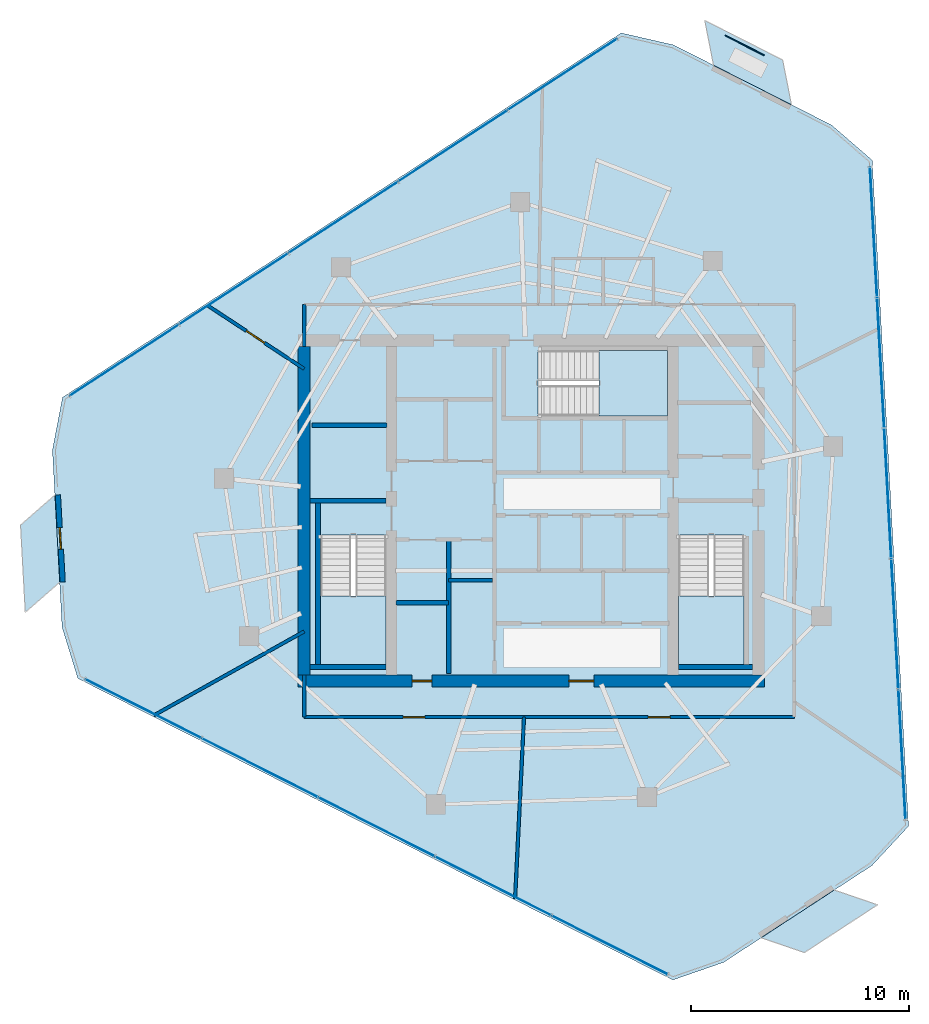
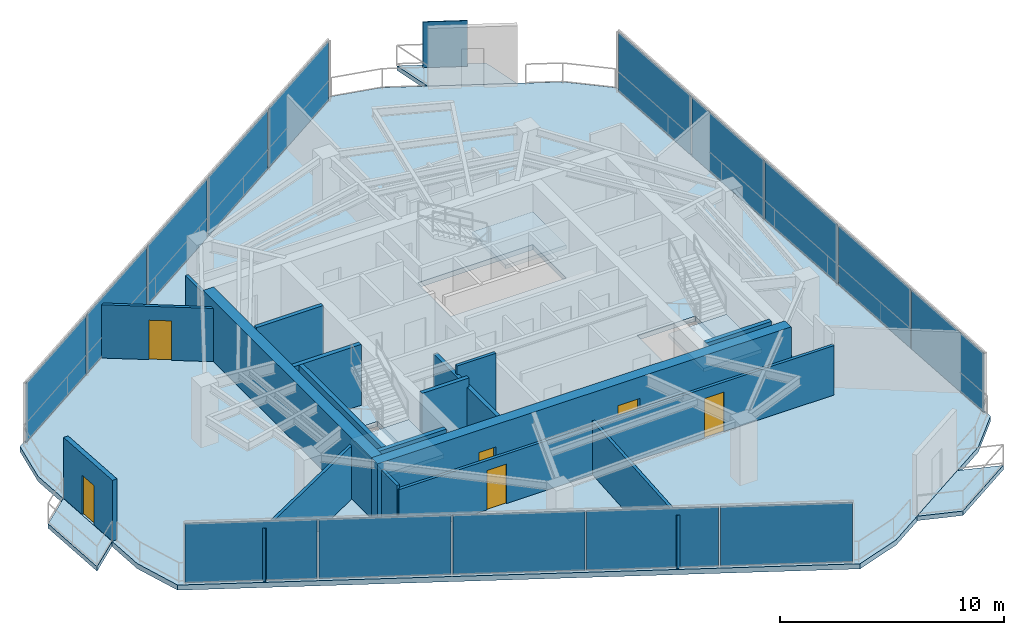
# One storey, part 14 of 18: 18 walls, 16 plates, 7 slabs, 6 doors, 6 openings, 6 elements without a shape of their own.
"""IFC4 building model written with IfcOpenShell, lengths in metres."""

from ifc_helpers import new_model, si_unit, direction, frame, frame_2d, origin, origin_2d, place, context, subcontext, project, spatial, polyline, rectangle, outline, extrude, material, layer, layer_set, type_object, element, fill, aggregate, save


model = new_model("IFC4")

# Units and contexts
model_context = context("Model", 3, precision=1e-05, world=origin(), true_north=direction((0.0, 1.0)))
body_context = subcontext(model_context, "Body", "Model", "MODEL_VIEW")
ifc_project = project(units=[si_unit("LENGTHUNIT", "METRE"), si_unit("AREAUNIT", "SQUARE_METRE"), si_unit("VOLUMEUNIT", "CUBIC_METRE"), si_unit("PLANEANGLEUNIT", "RADIAN"), si_unit("MASSUNIT", "GRAM", prefix="KILO")], contexts=[model_context])

# Site, building, storey
site_placement = place(None, origin())
site = spatial("IfcSite", under=ifc_project, at=site_placement, CompositionType="ELEMENT")
building_placement = place(site_placement, origin())
building = spatial("IfcBuilding", under=site, at=building_placement, Name="Qarnah Convention Tower", CompositionType="ELEMENT")
storey_placement = place(building_placement, frame((0.0, 0.0, 191.39990234375)))
storey = spatial("IfcBuildingStorey", under=building, at=storey_placement, Name="L51", CompositionType="ELEMENT", Elevation=191.39990234375)

# Curtain wall, plates
ifc_material_1 = material(Name="Tempered Low-E dark glass", Category="glass")
ifc_layer_1 = layer(ifc_material_1, 0.174072265625)
ifc_layer_set_1 = layer_set([ifc_layer_1], Name="Tempered Low-E dark glass")
curtain_wall_type = type_object("IfcCurtainWallType", Name="CWS-04", PredefinedType="NOTDEFINED", material=ifc_layer_set_1)
curtain_wall_1_placement = place(storey_placement, origin())
curtain_wall_1 = element("IfcCurtainWall", 1, at=curtain_wall_1_placement, inside=storey, type_object=curtain_wall_type, Name="L51 unitised curtain wall CW-L51-F1", PredefinedType="NOTDEFINED")
ifc_layer_2 = layer(ifc_material_1, 0.033935546875)
ifc_layer_set_2 = layer_set([ifc_layer_2], Name="Tempered Low-E dark glass")
plate_type_1 = type_object("IfcPlateType", Name="PNL-T4", PredefinedType="CURTAIN_PANEL", material=ifc_layer_set_2)
plate_1_placement = place(storey_placement, frame((18.56103515625, 33.292236328125, 0.0400390625), z_axis=(0.0, 0.0, 1.0), x_axis=(0.837511598943, 0.546419547267, 0.0)))
plate_1 = element("IfcPlate", 2, at=plate_1_placement, type_object=plate_type_1, Name="CW-L51-F1 curtain panel 1.1", PredefinedType="CURTAIN_PANEL", context=body_context, shape_type="SweptSolid", body=[
    extrude(rectangle(XDim=5.9091796875, YDim=0.033935546875, at=origin_2d()), origin(), (0.0, 0.0, 1.0), 3.239990234375),
])
plate_2_placement = place(storey_placement, frame((23.576904296875, 36.56494140625, 0.0400390625), z_axis=(0.0, 0.0, 1.0), x_axis=(0.837511598943, 0.546419547267, 0.0)))
plate_2 = element("IfcPlate", 3, at=plate_2_placement, type_object=plate_type_1, Name="CW-L51-F1 curtain panel 2.1", PredefinedType="CURTAIN_PANEL", context=body_context, shape_type="SweptSolid", body=[
    extrude(rectangle(XDim=5.9091796875, YDim=0.033935546875, at=origin_2d()), origin(), (0.0, 0.0, 1.0), 3.239990234375),
])
plate_3_placement = place(storey_placement, frame((28.593017578125, 39.83740234375, 0.0400390625), z_axis=(0.0, 0.0, 1.0), x_axis=(0.837511598943, 0.546419547267, 0.0)))
plate_3 = element("IfcPlate", 4, at=plate_3_placement, type_object=plate_type_1, Name="CW-L51-F1 curtain panel 3.1", PredefinedType="CURTAIN_PANEL", context=body_context, shape_type="SweptSolid", body=[
    extrude(rectangle(XDim=5.9091796875, YDim=0.033935546875, at=origin_2d()), origin(), (0.0, 0.0, 1.0), 3.239990234375),
])
plate_4_placement = place(storey_placement, frame((33.60888671875, 43.110107421875, 0.0400390625), z_axis=(0.0, 0.0, 1.0), x_axis=(0.837511598943, 0.546419547267, 0.0)))
plate_4 = element("IfcPlate", 5, at=plate_4_placement, type_object=plate_type_1, Name="CW-L51-F1 curtain panel 4.1", PredefinedType="CURTAIN_PANEL", context=body_context, shape_type="SweptSolid", body=[
    extrude(rectangle(XDim=5.9091796875, YDim=0.033935546875, at=origin_2d()), origin(), (0.0, 0.0, 1.0), 3.239990234375),
])
plate_5_placement = place(storey_placement, frame((38.625, 46.3828125, 0.0400390625), z_axis=(0.0, 0.0, 1.0), x_axis=(0.837511598943, 0.546419547267, 0.0)))
plate_5 = element("IfcPlate", 6, at=plate_5_placement, type_object=plate_type_1, Name="CW-L51-F1 curtain panel 5.1", PredefinedType="CURTAIN_PANEL", context=body_context, shape_type="SweptSolid", body=[
    extrude(rectangle(XDim=5.9091796875, YDim=0.033935546875, at=origin_2d()), origin(), (0.0, 0.0, 1.0), 3.239990234375),
])
aggregate(curtain_wall_1, [plate_1, plate_2, plate_3, plate_4, plate_5])

curtain_wall_2_placement = place(storey_placement, origin())
curtain_wall_2 = element("IfcCurtainWall", 7, at=curtain_wall_2_placement, inside=storey, type_object=curtain_wall_type, Name="L51 unitised curtain wall CW-L51-F2", PredefinedType="NOTDEFINED")
plate_6_placement = place(storey_placement, frame((52.87890625, 39.156982421875, 0.0400390625), z_axis=(0.0, 0.0, 1.0), x_axis=(0.054432401259, -0.998517457881, 0.0)))
plate_6 = element("IfcPlate", 8, at=plate_6_placement, type_object=plate_type_1, Name="CW-L51-F2 curtain panel 1.1", PredefinedType="CURTAIN_PANEL", context=body_context, shape_type="SweptSolid", body=[
    extrude(rectangle(XDim=5.9091796875, YDim=0.033935546875, at=origin_2d()), origin(), (0.0, 0.0, 1.0), 3.239990234375),
])
plate_7_placement = place(storey_placement, frame((53.205078125, 33.1767578125, 0.0400390625), z_axis=(0.0, 0.0, 1.0), x_axis=(0.054432401259, -0.998517457881, 0.0)))
plate_7 = element("IfcPlate", 9, at=plate_7_placement, type_object=plate_type_1, Name="CW-L51-F2 curtain panel 2.1", PredefinedType="CURTAIN_PANEL", context=body_context, shape_type="SweptSolid", body=[
    extrude(rectangle(XDim=5.9091796875, YDim=0.033935546875, at=origin_2d()), origin(), (0.0, 0.0, 1.0), 3.239990234375),
])
plate_8_placement = place(storey_placement, frame((53.531005859375, 27.196533203125, 0.0400390625), z_axis=(0.0, 0.0, 1.0), x_axis=(0.054432401259, -0.998517457881, 0.0)))
plate_8 = element("IfcPlate", 10, at=plate_8_placement, type_object=plate_type_1, Name="CW-L51-F2 curtain panel 3.1", PredefinedType="CURTAIN_PANEL", context=body_context, shape_type="SweptSolid", body=[
    extrude(rectangle(XDim=5.9091796875, YDim=0.033935546875, at=origin_2d()), origin(), (0.0, 0.0, 1.0), 3.239990234375),
])
plate_9_placement = place(storey_placement, frame((53.85693359375, 21.21630859375, 0.0400390625), z_axis=(0.0, 0.0, 1.0), x_axis=(0.054432401259, -0.998517457881, 0.0)))
plate_9 = element("IfcPlate", 11, at=plate_9_placement, type_object=plate_type_1, Name="CW-L51-F2 curtain panel 4.1", PredefinedType="CURTAIN_PANEL", context=body_context, shape_type="SweptSolid", body=[
    extrude(rectangle(XDim=5.9091796875, YDim=0.033935546875, at=origin_2d()), origin(), (0.0, 0.0, 1.0), 3.239990234375),
])
plate_10_placement = place(storey_placement, frame((54.18310546875, 15.236083984375, 0.0400390625), z_axis=(0.0, 0.0, 1.0), x_axis=(0.054432401259, -0.998517457881, 0.0)))
plate_10 = element("IfcPlate", 12, at=plate_10_placement, type_object=plate_type_1, Name="CW-L51-F2 curtain panel 5.1", PredefinedType="CURTAIN_PANEL", context=body_context, shape_type="SweptSolid", body=[
    extrude(rectangle(XDim=5.9091796875, YDim=0.033935546875, at=origin_2d()), origin(), (0.0, 0.0, 1.0), 3.239990234375),
])
aggregate(curtain_wall_2, [plate_6, plate_7, plate_8, plate_9, plate_10])

curtain_wall_3_placement = place(storey_placement, origin())
curtain_wall_3 = element("IfcCurtainWall", 13, at=curtain_wall_3_placement, inside=storey, type_object=curtain_wall_type, Name="L51 unitised curtain wall CW-L51-F3", PredefinedType="NOTDEFINED")
plate_11_placement = place(storey_placement, frame((40.799072265625, 6.5048828125, 0.0400390625), z_axis=(0.0, 0.0, 1.0), x_axis=(-0.891969347824, 0.4520958776, 0.0)))
plate_11 = element("IfcPlate", 14, at=plate_11_placement, type_object=plate_type_1, Name="CW-L51-F3 curtain panel 1.1", PredefinedType="CURTAIN_PANEL", context=body_context, shape_type="SweptSolid", body=[
    extrude(rectangle(XDim=5.908935546875, YDim=0.033935546875, at=origin_2d()), origin(), (0.0, 0.0, 1.0), 3.239990234375),
])
plate_12_placement = place(storey_placement, frame((35.45703125, 9.21240234375, 0.0400390625), z_axis=(0.0, 0.0, 1.0), x_axis=(-0.891969347824, 0.4520958776, 0.0)))
plate_12 = element("IfcPlate", 15, at=plate_12_placement, type_object=plate_type_1, Name="CW-L51-F3 curtain panel 2.1", PredefinedType="CURTAIN_PANEL", context=body_context, shape_type="SweptSolid", body=[
    extrude(rectangle(XDim=5.908935546875, YDim=0.033935546875, at=origin_2d()), origin(), (0.0, 0.0, 1.0), 3.239990234375),
])
plate_13_placement = place(storey_placement, frame((30.114990234375, 11.919921875, 0.0400390625), z_axis=(0.0, 0.0, 1.0), x_axis=(-0.891969347824, 0.4520958776, 0.0)))
plate_13 = element("IfcPlate", 16, at=plate_13_placement, type_object=plate_type_1, Name="CW-L51-F3 curtain panel 3.1", PredefinedType="CURTAIN_PANEL", context=body_context, shape_type="SweptSolid", body=[
    extrude(rectangle(XDim=5.908935546875, YDim=0.033935546875, at=origin_2d()), origin(), (0.0, 0.0, 1.0), 3.239990234375),
])
plate_14_placement = place(storey_placement, frame((24.77294921875, 14.627685546875, 0.0400390625), z_axis=(0.0, 0.0, 1.0), x_axis=(-0.891969347824, 0.4520958776, 0.0)))
plate_14 = element("IfcPlate", 17, at=plate_14_placement, type_object=plate_type_1, Name="CW-L51-F3 curtain panel 4.1", PredefinedType="CURTAIN_PANEL", context=body_context, shape_type="SweptSolid", body=[
    extrude(rectangle(XDim=5.908935546875, YDim=0.033935546875, at=origin_2d()), origin(), (0.0, 0.0, 1.0), 3.239990234375),
])
plate_15_placement = place(storey_placement, frame((19.430908203125, 17.335205078125, 0.0400390625), z_axis=(0.0, 0.0, 1.0), x_axis=(-0.891969347824, 0.4520958776, 0.0)))
plate_15 = element("IfcPlate", 18, at=plate_15_placement, type_object=plate_type_1, Name="CW-L51-F3 curtain panel 5.1", PredefinedType="CURTAIN_PANEL", context=body_context, shape_type="SweptSolid", body=[
    extrude(rectangle(XDim=5.908935546875, YDim=0.033935546875, at=origin_2d()), origin(), (0.0, 0.0, 1.0), 3.239990234375),
])
aggregate(curtain_wall_3, [plate_11, plate_12, plate_13, plate_14, plate_15])

# Plate
ifc_material_2 = material(Name="Black anodised aluminium", Category="aluminium")
ifc_layer_3 = layer(ifc_material_2, 0.044921875)
ifc_layer_set_3 = layer_set([ifc_layer_3], Name="Black anodised aluminium")
plate_type_2 = type_object("IfcPlateType", Name="SCR-BAL-18", PredefinedType="USERDEFINED", material=ifc_layer_set_3)
plate_16_placement = place(storey_placement, frame((46.97900390625, 47.714111328125, 0.0), z_axis=(0.0, 0.0, 1.0), x_axis=(0.89186227157, -0.452307073293, 0.0)))
element("IfcPlate", 19, at=plate_16_placement, inside=storey, type_object=plate_type_2, Name="L51 perforated desert solar screen BAL-L51-C1", ObjectType="SCREEN", PredefinedType="USERDEFINED", context=body_context, shape_type="SweptSolid", body=[
    extrude(rectangle(XDim=2.0, YDim=0.044921875, at=origin_2d()), origin(), (0.0, 0.0, 1.0), 2.5),
])

# Slabs
ifc_material_3 = material(Name="Concrete C45/55", Category="concrete")
ifc_layer_4 = layer(ifc_material_3, 0.239990234375)
ifc_layer_set_4 = layer_set([ifc_layer_4], Name="Concrete C45/55")
slab_type_1 = type_object("IfcSlabType", Name="SLB-BAL-240", PredefinedType="USERDEFINED", material=ifc_layer_set_4)
slab_1_placement = place(storey_placement, frame((0.0, 0.0, -0.239990234375)))
element("IfcSlab", 20, at=slab_1_placement, inside=storey, type_object=slab_type_1, Name="L51 cantilevered balcony slab BAL-L51-C1", ObjectType="BALCONY", PredefinedType="USERDEFINED", context=body_context, shape_type="SweptSolid", body=[
    extrude(outline(polyline([(45.14892578125, 48.85400390625), (48.716064453125, 47.044921875), (49.1201171875, 44.991943359375), (45.552001953125, 46.801025390625), (45.14892578125, 48.85400390625)])), origin(), (0.0, 0.0, 1.0), 0.239990234375),
])
slab_2_placement = place(storey_placement, frame((0.0, 0.0, -0.239990234375)))
element("IfcSlab", 21, at=slab_2_placement, inside=storey, type_object=slab_type_1, Name="L51 cantilevered balcony slab BAL-L51-C2", ObjectType="BALCONY", PredefinedType="USERDEFINED", context=body_context, shape_type="SweptSolid", body=[
    extrude(outline(polyline([(14.029052734375, 21.7490234375), (13.81103515625, 25.742919921875), (15.386962890625, 27.118896484375), (15.60498046875, 23.125), (14.029052734375, 21.7490234375)])), origin(), (0.0, 0.0, 1.0), 0.239990234375),
])
slab_3_placement = place(storey_placement, frame((0.0, 0.0, -0.239990234375)))
element("IfcSlab", 22, at=slab_3_placement, inside=storey, type_object=slab_type_1, Name="L51 cantilevered balcony slab BAL-L51-C3", ObjectType="BALCONY", PredefinedType="USERDEFINED", context=body_context, shape_type="SweptSolid", body=[
    extrude(outline(polyline([(53.06201171875, 8.35107421875), (49.7119140625, 6.1650390625), (47.73193359375, 6.842041015625), (51.08203125, 9.028076171875), (53.06201171875, 8.35107421875)])), origin(), (0.0, 0.0, 1.0), 0.239990234375),
])

# Stair, slab
ifc_material_4 = material(Name="Concrete C50/60", Category="concrete")
stair_type = type_object("IfcStairType", Name="STR-OFF", PredefinedType="HALF_TURN_STAIR", material=ifc_material_4)
stair_1_placement = place(storey_placement, origin())
stair_1 = element("IfcStair", 23, at=stair_1_placement, inside=storey, type_object=stair_type, Name="L51 Core exit stair ST-1", PredefinedType="HALF_TURN_STAIR")
ifc_layer_5 = layer(ifc_material_4, 0.199951171875)
ifc_layer_set_5 = layer_set([ifc_layer_5], Name="Concrete C50/60")
slab_type_2 = type_object("IfcSlabType", Name="SLB-LANDING-200", PredefinedType="LANDING", material=ifc_layer_set_5)
slab_4_placement = place(storey_placement, frame((0.0, 0.0, 1.60009765625)))
slab_4 = element("IfcSlab", 24, at=slab_4_placement, type_object=slab_type_2, Name="ST-1 landing 1", PredefinedType="LANDING", context=body_context, shape_type="SweptSolid", body=[
    extrude(outline(polyline([(27.550048828125, 22.5), (27.550048828125, 19.35009765625), (30.550048828125, 19.35009765625), (30.550048828125, 22.5), (27.550048828125, 22.5)])), origin(), (0.0, 0.0, 1.0), 0.199951171875),
])
aggregate(stair_1, [slab_4])

stair_2_placement = place(storey_placement, origin())
stair_2 = element("IfcStair", 25, at=stair_2_placement, inside=storey, type_object=stair_type, Name="L51 Core exit stair ST-2", PredefinedType="HALF_TURN_STAIR")
slab_5_placement = place(storey_placement, frame((0.0, 0.0, 1.60009765625)))
slab_5 = element("IfcSlab", 26, at=slab_5_placement, type_object=slab_type_2, Name="ST-2 landing 1", PredefinedType="LANDING", context=body_context, shape_type="SweptSolid", body=[
    extrude(outline(polyline([(43.949951171875, 22.5), (43.949951171875, 19.35009765625), (46.949951171875, 19.35009765625), (46.949951171875, 22.5), (43.949951171875, 22.5)])), origin(), (0.0, 0.0, 1.0), 0.199951171875),
])
aggregate(stair_2, [slab_5])

stair_3_placement = place(storey_placement, origin())
stair_3 = element("IfcStair", 27, at=stair_3_placement, inside=storey, type_object=stair_type, Name="L51 Core exit stair ST-3", PredefinedType="HALF_TURN_STAIR")
slab_6_placement = place(storey_placement, frame((0.0, 0.0, 1.60009765625)))
slab_6 = element("IfcSlab", 28, at=slab_6_placement, type_object=slab_type_2, Name="ST-3 landing 1", PredefinedType="LANDING", context=body_context, shape_type="SweptSolid", body=[
    extrude(outline(polyline([(40.300048828125, 30.75), (43.449951171875, 30.75), (43.449951171875, 33.75), (40.300048828125, 33.75), (40.300048828125, 30.75)])), origin(), (0.0, 0.0, 1.0), 0.199951171875),
])
aggregate(stair_3, [slab_6])

# Slab
ifc_layer_6 = layer(ifc_material_3, 0.280029296875)
ifc_layer_set_6 = layer_set([ifc_layer_6], Name="Concrete C45/55")
slab_type_3 = type_object("IfcSlabType", Name="SLB-TWR-280", PredefinedType="FLOOR", material=ifc_layer_set_6)
slab_7_placement = place(storey_placement, frame((0.0, 0.0, -0.27978515625)))
element("IfcSlab", 29, at=slab_7_placement, inside=storey, type_object=slab_type_3, Name="L51 structural floor slab", PredefinedType="FLOOR", context=body_context, shape_type="SweptSolid", body=[
    extrude(outline(polyline([(41.319091796875, 48.282958984375), (15.736083984375, 31.593017578125), (15.27099609375, 29.174072265625), (15.712890625, 21.072021484375), (16.43798828125, 18.718017578125), (43.68310546875, 4.907958984375), (46.010986328125, 5.715087890625), (52.805908203125, 10.14794921875), (54.48193359375, 11.952880859375), (52.819091796875, 42.452880859375), (50.95703125, 44.06494140625), (43.719970703125, 47.73388671875), (41.319091796875, 48.282958984375)]), holes=[polyline([(27.550048828125, 25.300048828125), (27.550048828125, 19.35009765625), (30.550048828125, 19.35009765625), (30.550048828125, 25.300048828125), (27.550048828125, 25.300048828125)]), polyline([(43.949951171875, 25.300048828125), (43.949951171875, 19.35009765625), (46.949951171875, 19.35009765625), (46.949951171875, 25.300048828125), (43.949951171875, 25.300048828125)]), polyline([(37.5, 30.75), (43.449951171875, 30.75), (43.449951171875, 33.75), (37.5, 33.75), (37.5, 30.75)])]), origin(), (0.0, 0.0, 1.0), 0.27978515625),
])

# Wall, openings, doors
ifc_material_5 = material(Name="Concrete C60/75", Category="concrete")
ifc_layer_7 = layer(ifc_material_5, 0.550048828125)
ifc_layer_set_7 = layer_set([ifc_layer_7], Name="Concrete C60/75")
wall_type_1 = type_object("IfcWallType", Name="WL-CORE-550", PredefinedType="SHEAR", material=ifc_layer_set_7)
wall_1_placement = place(storey_placement, frame((26.52490234375, 18.60009765625, 0.0), z_axis=(0.0, 0.0, 1.0), x_axis=(1.0, 0.0, 0.0)))
wall_1 = element("IfcWall", 30, at=wall_1_placement, inside=storey, type_object=wall_type_1, Name="L51 core south shear wall", PredefinedType="SHEAR", context=body_context, shape_type="SweptSolid", body=[
    extrude(rectangle(XDim=21.35009765625, YDim=0.550048828125, at=frame_2d((10.675048828125, 0.0))), origin(), (0.0, 0.0, 1.0), 3.320068359375),
])
opening_1_placement = place(wall_1_placement, frame((12.39990234375, 0.0, 0.0)))
opening_1 = element("IfcOpeningElement", 31, at=opening_1_placement, cuts=wall_1, Name="Opening D-5107", PredefinedType="OPENING", context=body_context, shape_type="SweptSolid", body=[
    extrude(rectangle(XDim=1.14990234375, YDim=2.14990234375, at=frame_2d((0.574951171875, 1.074951171875))), frame((0.0, 0.284912109375, 0.0), z_axis=(0.0, -1.0, 0.0), x_axis=(1.0, 0.0, 0.0)), (0.0, 0.0, 1.0), 0.570068359375),
])
opening_2_placement = place(wall_1_placement, frame((5.22509765625, 0.0, 0.0)))
opening_2 = element("IfcOpeningElement", 32, at=opening_2_placement, cuts=wall_1, Name="Opening D-5113", PredefinedType="OPENING", context=body_context, shape_type="SweptSolid", body=[
    extrude(rectangle(XDim=0.89990234375, YDim=2.10009765625, at=frame_2d((0.449951171875, 1.050048828125))), frame((0.0, 0.284912109375, 0.0), z_axis=(0.0, -1.0, 0.0), x_axis=(1.0, 0.0, 0.0)), (0.0, 0.0, 1.0), 0.570068359375),
])
ifc_material_6 = material(Name="Structural steel S355JR", Category="steel")
door_type_1 = type_object("IfcDoorType", Name="DT-LOBBY-1150", OperationType="NOTDEFINED", PredefinedType="DOOR", material=ifc_material_6)
door_1_placement = place(opening_1_placement, origin())
door_1 = element("IfcDoor", 33, at=door_1_placement, inside=storey, type_object=door_type_1, Name="Door D-5107", OperationType="SINGLE_SWING_RIGHT", OverallHeight=2.14990234375, OverallWidth=1.14990234375, PredefinedType="DOOR", context=body_context, shape_type="SweptSolid", body=[
    extrude(rectangle(XDim=1.14990234375, YDim=2.14990234375, at=frame_2d((0.574951171875, 1.074951171875))), frame((0.0, 0.02490234375, 0.0), z_axis=(0.0, -1.0, 0.0), x_axis=(1.0, 0.0, 0.0)), (0.0, 0.0, 1.0), 0.050048828125),
])
fill(opening_1, door_1)
door_type_2 = type_object("IfcDoorType", Name="DT-RISER-900", OperationType="NOTDEFINED", PredefinedType="DOOR", material=ifc_material_6)
door_2_placement = place(opening_2_placement, origin())
door_2 = element("IfcDoor", 34, at=door_2_placement, inside=storey, type_object=door_type_2, Name="Door D-5113", OperationType="SINGLE_SWING_RIGHT", OverallHeight=2.10009765625, OverallWidth=0.89990234375, PredefinedType="DOOR", context=body_context, shape_type="SweptSolid", body=[
    extrude(rectangle(XDim=0.89990234375, YDim=2.10009765625, at=frame_2d((0.449951171875, 1.050048828125))), frame((0.0, 0.02490234375, 0.0), z_axis=(0.0, -1.0, 0.0), x_axis=(1.0, 0.0, 0.0)), (0.0, 0.0, 1.0), 0.050048828125),
])
fill(opening_2, door_2)

# Walls
wall_2_placement = place(storey_placement, frame((26.800048828125, 18.875, 0.0), z_axis=(0.0, 0.0, 1.0), x_axis=(0.0, 1.0, 0.0)))
element("IfcWall", 35, at=wall_2_placement, inside=storey, type_object=wall_type_1, Name="L51 core west shear wall", PredefinedType="SHEAR", context=body_context, shape_type="SweptSolid", body=[
    extrude(rectangle(XDim=15.050048828125, YDim=0.550048828125, at=frame_2d((7.52490234375, 0.0))), origin(), (0.0, 0.0, 1.0), 3.320068359375),
])
ifc_layer_8 = layer(ifc_material_3, 0.199951171875)
ifc_layer_set_8 = layer_set([ifc_layer_8], Name="Concrete C45/55")
wall_type_2 = type_object("IfcWallType", Name="WL-CORE-PART-200", PredefinedType="SOLIDWALL", material=ifc_layer_set_8)
wall_3_placement = place(storey_placement, frame((27.14990234375, 30.320068359375, 0.0), z_axis=(0.0, 0.0, 1.0), x_axis=(1.0, 0.0, 0.0)))
element("IfcWall", 36, at=wall_3_placement, inside=storey, type_object=wall_type_2, Name="L51 interior wall IW-L51-ELRN", PredefinedType="SOLIDWALL", context=body_context, shape_type="SweptSolid", body=[
    extrude(rectangle(XDim=3.4501953125, YDim=0.199951171875, at=frame_2d((1.72509765625, 0.0))), origin(), (0.0, 0.0, 1.0), 3.320068359375),
])
wall_4_placement = place(storey_placement, frame((33.419921875, 18.949951171875, 0.0), z_axis=(0.0, 0.0, 1.0), x_axis=(0.0, 1.0, 0.0)))
element("IfcWall", 37, at=wall_4_placement, inside=storey, type_object=wall_type_2, Name="L51 interior wall IW-L51-SVLE", PredefinedType="SOLIDWALL", context=body_context, shape_type="SweptSolid", body=[
    extrude(rectangle(XDim=6.130126953125, YDim=0.199951171875, at=frame_2d((3.06494140625, 0.0))), origin(), (0.0, 0.0, 1.0), 2.841064453125),
])
wall_5_placement = place(storey_placement, frame((31.0, 22.179931640625, 0.0), z_axis=(0.0, 0.0, 1.0), x_axis=(1.0, 0.0, 0.0)))
element("IfcWall", 38, at=wall_5_placement, inside=storey, type_object=wall_type_2, Name="L51 interior wall IW-L51-SVLS", PredefinedType="SOLIDWALL", context=body_context, shape_type="SweptSolid", body=[
    extrude(rectangle(XDim=2.419921875, YDim=0.199951171875, at=frame_2d((1.2099609375, 0.0))), origin(), (0.0, 0.0, 1.0), 3.320068359375),
])
ifc_layer_9 = layer(ifc_material_5, 0.219970703125)
ifc_layer_set_9 = layer_set([ifc_layer_9], Name="Concrete C60/75")
wall_type_3 = type_object("IfcWallType", Name="WL-CORE-STAIR-220", PredefinedType="SHEAR", material=ifc_layer_set_9)
wall_6_placement = place(storey_placement, frame((27.074951171875, 26.860107421875, 0.0), z_axis=(0.0, 0.0, 1.0), x_axis=(1.0, 0.0, 0.0)))
element("IfcWall", 39, at=wall_6_placement, inside=storey, type_object=wall_type_3, Name="L51 stair shaft shear wall SW-L51-ST1N", PredefinedType="SHEAR", context=body_context, shape_type="SweptSolid", body=[
    extrude(rectangle(XDim=3.47509765625, YDim=0.219970703125, at=frame_2d((1.737548828125, 0.0))), origin(), (0.0, 0.0, 1.0), 3.320068359375),
])
wall_7_placement = place(storey_placement, frame((27.43994140625, 19.35009765625, 0.0), z_axis=(0.0, 0.0, 1.0), x_axis=(0.0, 1.0, 0.0)))
element("IfcWall", 40, at=wall_7_placement, inside=storey, type_object=wall_type_3, Name="L51 stair shaft shear wall SW-L51-ST1W", PredefinedType="SHEAR", context=body_context, shape_type="SweptSolid", body=[
    extrude(rectangle(XDim=7.39990234375, YDim=0.219970703125, at=frame_2d((3.699951171875, 0.0))), origin(), (0.0, 0.0, 1.0), 3.320068359375),
])
wall_8_placement = place(storey_placement, frame((27.074951171875, 19.239990234375, 0.0), z_axis=(0.0, 0.0, 1.0), x_axis=(1.0, 0.0, 0.0)))
element("IfcWall", 41, at=wall_8_placement, inside=storey, type_object=wall_type_3, Name="L51 stair shaft shear wall SW-L51-ST1S", PredefinedType="SHEAR", context=body_context, shape_type="SweptSolid", body=[
    extrude(rectangle(XDim=3.47509765625, YDim=0.219970703125, at=frame_2d((1.737548828125, 0.0))), origin(), (0.0, 0.0, 1.0), 3.320068359375),
])
wall_9_placement = place(storey_placement, frame((43.949951171875, 19.239990234375, 0.0), z_axis=(0.0, 0.0, 1.0), x_axis=(1.0, 0.0, 0.0)))
element("IfcWall", 42, at=wall_9_placement, inside=storey, type_object=wall_type_3, Name="L51 stair shaft shear wall SW-L51-ST2S", PredefinedType="SHEAR", context=body_context, shape_type="SweptSolid", body=[
    extrude(rectangle(XDim=3.375, YDim=0.219970703125, at=frame_2d((1.6875, 0.0))), origin(), (0.0, 0.0, 1.0), 3.320068359375),
])

# Wall, opening, door
ifc_material_7 = material(Name="Precast concrete C45/55", Category="concrete")
ifc_layer_10 = layer(ifc_material_7, 0.239990234375)
ifc_layer_set_10 = layer_set([ifc_layer_10], Name="Precast concrete C45/55")
wall_type_4 = type_object("IfcWallType", Name="WL-EXT-BAL-240", PredefinedType="SOLIDWALL", material=ifc_layer_set_10)
wall_10_placement = place(storey_placement, frame((15.740966796875, 23.134033203125, 0.0), z_axis=(0.0, 0.0, 1.0), x_axis=(-0.054506539419, 0.998513413611, 0.0)))
wall_10 = element("IfcWall", 43, at=wall_10_placement, inside=storey, type_object=wall_type_4, Name="L51 loggia threshold wall BAL-L51-C2", PredefinedType="SOLIDWALL", context=body_context, shape_type="SweptSolid", body=[
    extrude(rectangle(XDim=3.999755859375, YDim=0.239990234375, at=frame_2d((2.0, 0.0))), origin(), (0.0, 0.0, 1.0), 3.320068359375),
])
opening_3_placement = place(wall_10_placement, frame((1.5, 0.0, 0.0)))
opening_3 = element("IfcOpeningElement", 44, at=opening_3_placement, cuts=wall_10, Name="Opening BD-5102", PredefinedType="OPENING", context=body_context, shape_type="SweptSolid", body=[
    extrude(rectangle(XDim=1.0, YDim=2.14990234375, at=frame_2d((0.5, 1.074951171875))), frame((0.0, 0.1298828125, 0.0), z_axis=(0.0, -1.0, 0.0), x_axis=(1.0, 0.0, 0.0)), (0.0, 0.0, 1.0), 0.260009765625),
])
door_type_3 = type_object("IfcDoorType", Name="DT-BAL-1000", OperationType="NOTDEFINED", PredefinedType="DOOR", material=ifc_material_2)
door_3_placement = place(opening_3_placement, origin())
door_3 = element("IfcDoor", 45, at=door_3_placement, inside=storey, type_object=door_type_3, Name="L51 balcony terrace door BAL-L51-C2", OperationType="SINGLE_SWING_LEFT", OverallHeight=2.14990234375, OverallWidth=1.0, PredefinedType="DOOR", context=body_context, shape_type="SweptSolid", body=[
    extrude(rectangle(XDim=1.0, YDim=2.14990234375, at=frame_2d((0.5, 1.074951171875))), frame((0.0, 0.02490234375, 0.0), z_axis=(0.0, -1.0, 0.0), x_axis=(1.0, 0.0, 0.0)), (0.0, 0.0, 1.0), 0.050048828125),
])
fill(opening_3, door_3)

# Wall
ifc_material_8 = material(Name="Gypsum partition board")
ifc_layer_11 = layer(ifc_material_8, 0.14990234375)
ifc_layer_set_11 = layer_set([ifc_layer_11], Name="Gypsum partition board")
wall_type_5 = type_object("IfcWallType", Name="WL-SUITE-150", PredefinedType="PARTITIONING", material=ifc_layer_set_11)
wall_11_placement = place(storey_placement, frame((33.419921875, 23.219970703125, 0.0), z_axis=(0.0, 0.0, 1.0), x_axis=(1.0, 0.0, 0.0)))
element("IfcWall", 46, at=wall_11_placement, inside=storey, type_object=wall_type_5, Name="L51 interior wall IW-L51-CSV1", PredefinedType="PARTITIONING", context=body_context, shape_type="SweptSolid", body=[
    extrude(rectangle(XDim=2.0, YDim=0.14990234375, at=frame_2d((1.0, 0.0))), origin(), (0.0, 0.0, 1.0), 3.320068359375),
])

# Wall, opening, door
wall_12_placement = place(storey_placement, frame((22.347900390625, 35.819091796875, 0.0), z_axis=(0.0, 0.0, 1.0), x_axis=(0.836181971752, -0.548452103758, 0.0)))
wall_12 = element("IfcWall", 47, at=wall_12_placement, inside=storey, type_object=wall_type_5, Name="L51 interior wall IW-L51-R-15", PredefinedType="PARTITIONING", context=body_context, shape_type="SweptSolid", body=[
    extrude(rectangle(XDim=5.324462890625, YDim=0.14990234375, at=frame_2d((2.662109375, 0.0))), origin(), (0.0, 0.0, 1.0), 2.905029296875),
])
opening_4_placement = place(wall_12_placement, frame((2.162109375, 0.0, 0.0)))
opening_4 = element("IfcOpeningElement", 48, at=opening_4_placement, cuts=wall_12, Name="Opening D-5122", PredefinedType="OPENING", context=body_context, shape_type="SweptSolid", body=[
    extrude(rectangle(XDim=1.0, YDim=2.14990234375, at=frame_2d((0.5, 1.074951171875))), frame((0.0, 0.0849609375, 0.0), z_axis=(0.0, -1.0, 0.0), x_axis=(1.0, 0.0, 0.0)), (0.0, 0.0, 1.0), 0.169921875),
])
ifc_material_9 = material(Name="Oak timber veneer", Category="wood")
door_type_4 = type_object("IfcDoorType", Name="DT-OFFICE-1000", OperationType="NOTDEFINED", PredefinedType="DOOR", material=ifc_material_9)
door_4_placement = place(opening_4_placement, origin())
door_4 = element("IfcDoor", 49, at=door_4_placement, inside=storey, type_object=door_type_4, Name="Door D-5122", OperationType="SINGLE_SWING_LEFT", OverallHeight=2.14990234375, OverallWidth=1.0, PredefinedType="DOOR", context=body_context, shape_type="SweptSolid", body=[
    extrude(rectangle(XDim=1.0, YDim=2.14990234375, at=frame_2d((0.5, 1.074951171875))), frame((0.0, 0.02490234375, 0.0), z_axis=(0.0, -1.0, 0.0), x_axis=(1.0, 0.0, 0.0)), (0.0, 0.0, 1.0), 0.050048828125),
])
fill(opening_4, door_4)

# Walls
wall_13_placement = place(storey_placement, frame((26.800048828125, 33.925048828125, 0.0), z_axis=(0.0, 0.0, 1.0), x_axis=(0.0, 1.0, 0.0)))
element("IfcWall", 50, at=wall_13_placement, inside=storey, type_object=wall_type_5, Name="L51 interior wall IW-L51-R-16", PredefinedType="PARTITIONING", context=body_context, shape_type="SweptSolid", body=[
    extrude(rectangle(XDim=1.925048828125, YDim=0.14990234375, at=frame_2d((0.96240234375, 0.0))), origin(), (0.0, 0.0, 1.0), 2.905029296875),
])
wall_14_placement = place(storey_placement, frame((19.9169921875, 17.028076171875, 0.0), z_axis=(0.0, 0.0, 1.0), x_axis=(0.87317961661, 0.487398560869, 0.0)))
element("IfcWall", 51, at=wall_14_placement, inside=storey, type_object=wall_type_5, Name="L51 interior wall IW-L51-R-18", PredefinedType="PARTITIONING", context=body_context, shape_type="SweptSolid", body=[
    extrude(rectangle(XDim=7.8828125, YDim=0.14990234375, at=frame_2d((3.94140625, 0.0))), origin(), (0.0, 0.0, 1.0), 2.905029296875),
])
wall_15_placement = place(storey_placement, frame((36.462890625, 8.64892578125, 0.0), z_axis=(0.0, 0.0, 1.0), x_axis=(0.048998455603, 0.998798854299, 0.0)))
element("IfcWall", 52, at=wall_15_placement, inside=storey, type_object=wall_type_5, Name="L51 interior wall IW-L51-R-19", PredefinedType="PARTITIONING", context=body_context, shape_type="SweptSolid", body=[
    extrude(rectangle(XDim=8.31103515625, YDim=0.14990234375, at=frame_2d((4.155517578125, 0.0))), origin(), (0.0, 0.0, 1.0), 2.905029296875),
])

# Wall, opening, door
wall_16_placement = place(storey_placement, frame((36.8701171875, 16.949951171875, 0.0), z_axis=(0.0, 0.0, 1.0), x_axis=(-1.0, 0.0, 0.0)))
wall_16 = element("IfcWall", 53, at=wall_16_placement, inside=storey, type_object=wall_type_5, Name="L51 interior wall IW-L51-R-20", PredefinedType="PARTITIONING", context=body_context, shape_type="SweptSolid", body=[
    extrude(rectangle(XDim=10.070068359375, YDim=0.14990234375, at=frame_2d((5.03515625, 0.0))), origin(), (0.0, 0.0, 1.0), 2.697021484375),
])
opening_5_placement = place(wall_16_placement, frame((4.534912109375, 0.0, 0.0)))
opening_5 = element("IfcOpeningElement", 54, at=opening_5_placement, cuts=wall_16, Name="Opening D-5123", PredefinedType="OPENING", context=body_context, shape_type="SweptSolid", body=[
    extrude(rectangle(XDim=1.0, YDim=2.14990234375, at=frame_2d((0.5, 1.074951171875))), frame((0.0, 0.0849609375, 0.0), z_axis=(0.0, -1.0, 0.0), x_axis=(1.0, 0.0, 0.0)), (0.0, 0.0, 1.0), 0.169921875),
])
door_5_placement = place(opening_5_placement, origin())
door_5 = element("IfcDoor", 55, at=door_5_placement, inside=storey, type_object=door_type_4, Name="Door D-5123", OperationType="SINGLE_SWING_RIGHT", OverallHeight=2.14990234375, OverallWidth=1.0, PredefinedType="DOOR", context=body_context, shape_type="SweptSolid", body=[
    extrude(rectangle(XDim=1.0, YDim=2.14990234375, at=frame_2d((0.5, 1.074951171875))), frame((0.0, 0.02490234375, 0.0), z_axis=(0.0, -1.0, 0.0), x_axis=(1.0, 0.0, 0.0)), (0.0, 0.0, 1.0), 0.050048828125),
])
fill(opening_5, door_5)

# Wall
wall_17_placement = place(storey_placement, frame((26.800048828125, 16.949951171875, 0.0), z_axis=(0.0, 0.0, 1.0), x_axis=(0.0, 1.0, 0.0)))
element("IfcWall", 56, at=wall_17_placement, inside=storey, type_object=wall_type_5, Name="L51 interior wall IW-L51-R-21", PredefinedType="PARTITIONING", context=body_context, shape_type="SweptSolid", body=[
    extrude(rectangle(XDim=1.925048828125, YDim=0.14990234375, at=frame_2d((0.96240234375, 0.0))), origin(), (0.0, 0.0, 1.0), 2.905029296875),
])

# Wall, opening, door
wall_18_placement = place(storey_placement, frame((49.25, 16.949951171875, 0.0), z_axis=(0.0, 0.0, 1.0), x_axis=(-1.0, 0.0, 0.0)))
wall_18 = element("IfcWall", 57, at=wall_18_placement, inside=storey, type_object=wall_type_5, Name="L51 interior wall IW-L51-R-24", PredefinedType="PARTITIONING", context=body_context, shape_type="SweptSolid", body=[
    extrude(rectangle(XDim=12.3798828125, YDim=0.14990234375, at=frame_2d((6.18994140625, 0.0))), origin(), (0.0, 0.0, 1.0), 2.697021484375),
])
opening_6_placement = place(wall_18_placement, frame((5.68994140625, 0.0, 0.0)))
opening_6 = element("IfcOpeningElement", 58, at=opening_6_placement, cuts=wall_18, Name="Opening D-5124", PredefinedType="OPENING", context=body_context, shape_type="SweptSolid", body=[
    extrude(rectangle(XDim=1.0, YDim=2.14990234375, at=frame_2d((0.5, 1.074951171875))), frame((0.0, 0.0849609375, 0.0), z_axis=(0.0, -1.0, 0.0), x_axis=(1.0, 0.0, 0.0)), (0.0, 0.0, 1.0), 0.169921875),
])
door_6_placement = place(opening_6_placement, origin())
door_6 = element("IfcDoor", 59, at=door_6_placement, inside=storey, type_object=door_type_4, Name="Door D-5124", OperationType="SINGLE_SWING_LEFT", OverallHeight=2.14990234375, OverallWidth=1.0, PredefinedType="DOOR", context=body_context, shape_type="SweptSolid", body=[
    extrude(rectangle(XDim=1.0, YDim=2.14990234375, at=frame_2d((0.5, 1.074951171875))), frame((0.0, 0.02490234375, 0.0), z_axis=(0.0, -1.0, 0.0), x_axis=(1.0, 0.0, 0.0)), (0.0, 0.0, 1.0), 0.050048828125),
])
fill(opening_6, door_6)

save(model, "model.ifc")
